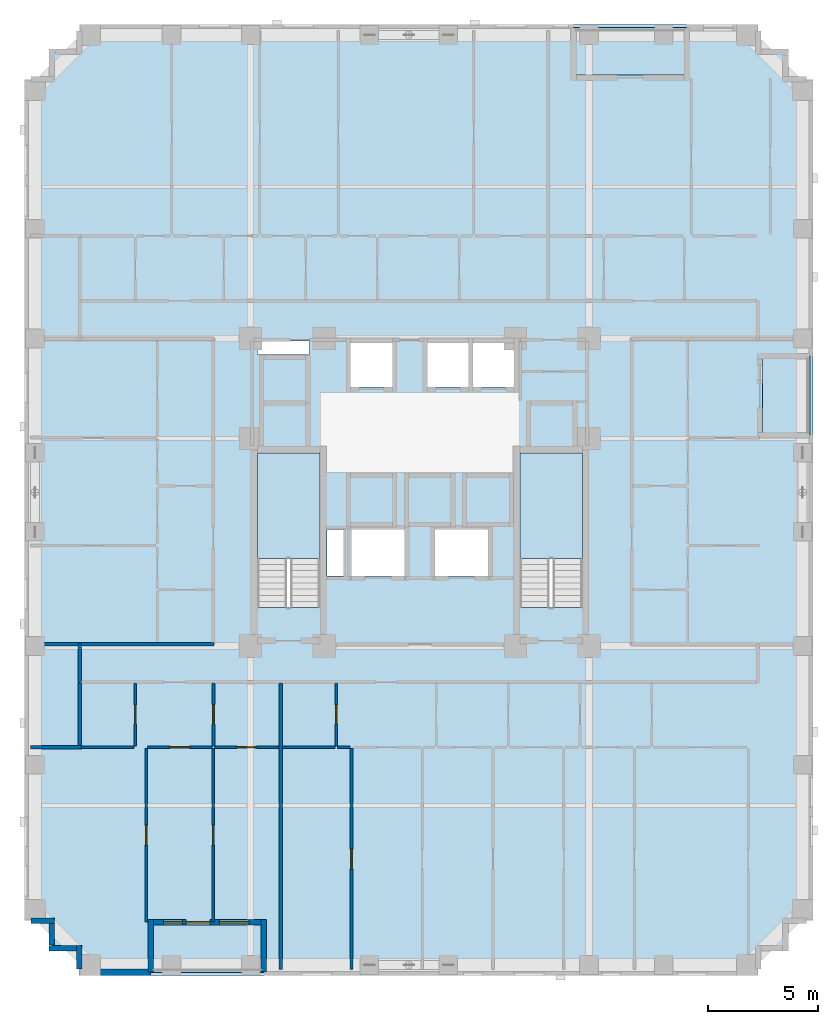
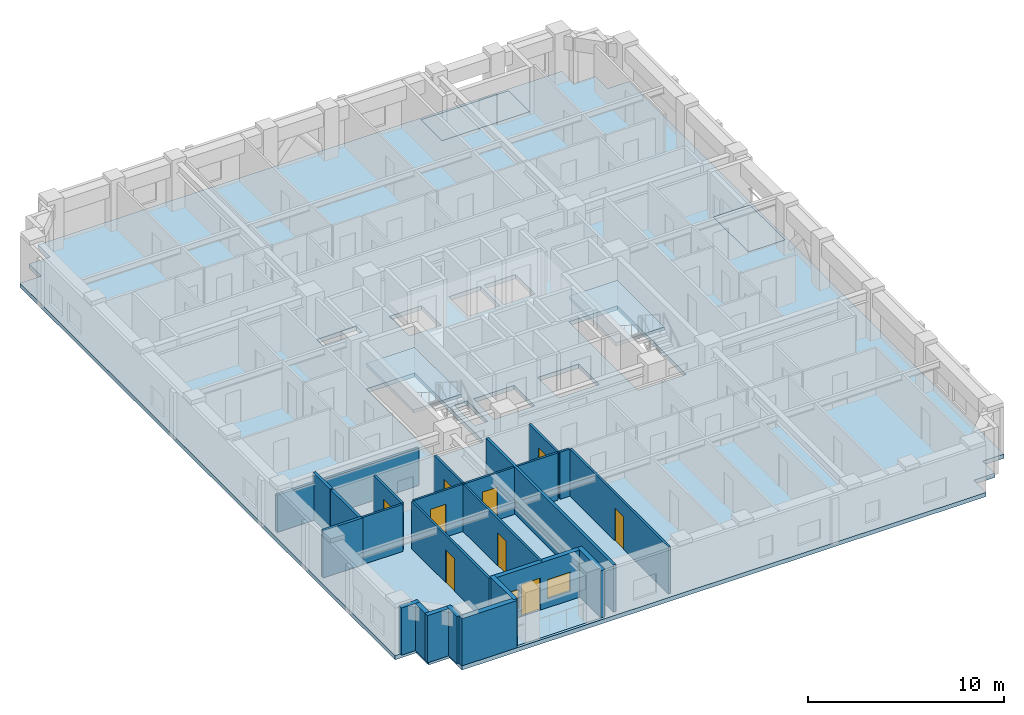
# One storey, part 2 of 12: 24 walls, 9 doors, 6 slabs, 2 windows, 11 openings, 2 elements without a shape of their own.
"""IFC4 building model written with IfcOpenShell, lengths in metres."""

from ifc_helpers import new_model, si_unit, derived_unit, direction, frame, frame_2d, origin, place, context, subcontext, project, spatial, polyline, rectangle, outline, extrude, material, layer, layer_set, type_object, element, fill, aggregate, save


model = new_model("IFC4")

# Units and contexts
model_context = context("Model", 3, precision=1e-05, world=origin(), true_north=direction((0.0, 1.0)))
body_context = subcontext(model_context, "Body", "Model", "MODEL_VIEW")
ifc_project = project(units=[si_unit("LENGTHUNIT", "METRE"), si_unit("AREAUNIT", "SQUARE_METRE"), si_unit("VOLUMEUNIT", "CUBIC_METRE"), si_unit("PLANEANGLEUNIT", "RADIAN"), si_unit("MASSUNIT", "GRAM", prefix="KILO"), derived_unit("THERMALTRANSMITTANCEUNIT", [(si_unit("MASSUNIT", "GRAM", prefix="KILO"), 1), (si_unit("TIMEUNIT", "SECOND"), -3), (si_unit("THERMODYNAMICTEMPERATUREUNIT", "KELVIN"), -1)])], contexts=[model_context])

# Site, building, storey
site_placement = place(None, origin())
site = spatial("IfcSite", under=ifc_project, at=site_placement, CompositionType="ELEMENT")
building_placement = place(site_placement, origin())
building = spatial("IfcBuilding", under=site, at=building_placement, Name="Korrvale Station Residences", CompositionType="ELEMENT")
storey_placement = place(building_placement, frame((0.0, 0.0, 81.5)))
storey = spatial("IfcBuildingStorey", under=building, at=storey_placement, Name="L22", CompositionType="ELEMENT", Elevation=81.5)

# Slabs
ifc_material_1 = material(Name="Concrete C50/60", Category="concrete")
ifc_layer_1 = layer(ifc_material_1, 0.219970703125, Name="Concrete C50/60")
ifc_layer_set_1 = layer_set([ifc_layer_1], Name="Concrete C50/60")
slab_type_1 = type_object("IfcSlabType", Name="SLB-BAL-220", PredefinedType="FLOOR", material=ifc_layer_set_1)
slab_1_placement = place(storey_placement, frame((0.0, 0.0, -0.219970703125)))
element("IfcSlab", 1, at=slab_1_placement, inside=storey, type_object=slab_type_1, Name="L22 Recessed Loggia Balcony Slab BAL-L22-S1", PredefinedType="FLOOR", context=body_context, shape_type="SweptSolid", body=[
    extrude(outline(polyline([(13.25, 0.14990234375), (18.39990234375, 0.14990234375), (18.39990234375, 2.300048828125), (13.25, 2.300048828125), (13.25, 0.14990234375)])), origin(), (0.0, 0.0, 1.0), 0.219970703125),
])
slab_2_placement = place(storey_placement, frame((0.0, 0.0, -0.219970703125)))
element("IfcSlab", 2, at=slab_2_placement, inside=storey, type_object=slab_type_1, Name="L22 Recessed Loggia Balcony Slab BAL-L22-N1", PredefinedType="FLOOR", context=body_context, shape_type="SweptSolid", body=[
    extrude(outline(polyline([(32.5, 41.0), (37.64990234375, 41.0), (37.64990234375, 43.14990234375), (32.5, 43.14990234375), (32.5, 41.0)])), origin(), (0.0, 0.0, 1.0), 0.219970703125),
])
slab_3_placement = place(storey_placement, frame((0.0, 0.0, -0.219970703125)))
element("IfcSlab", 3, at=slab_3_placement, inside=storey, type_object=slab_type_1, Name="L22 Recessed Loggia Balcony Slab BAL-L22-E1", PredefinedType="FLOOR", context=body_context, shape_type="SweptSolid", body=[
    extrude(outline(polyline([(41.10009765625, 24.60009765625), (43.25, 24.60009765625), (43.25, 28.199951171875), (41.10009765625, 28.199951171875), (41.10009765625, 24.60009765625)])), origin(), (0.0, 0.0, 1.0), 0.219970703125),
])
ifc_layer_2 = layer(ifc_material_1, 0.260009765625, Name="Concrete C50/60")
ifc_layer_set_2 = layer_set([ifc_layer_2], Name="Concrete C50/60")
slab_type_2 = type_object("IfcSlabType", Name="SLB-FLR-260", PredefinedType="FLOOR", material=ifc_layer_set_2)
slab_4_placement = place(storey_placement, frame((0.0, 0.0, -0.260009765625)))
element("IfcSlab", 4, at=slab_4_placement, inside=storey, type_object=slab_type_2, Name="L22 Suspended Structural Floor Slab", PredefinedType="FLOOR", context=body_context, shape_type="SweptSolid", body=[
    extrude(outline(polyline([(10.0, 0.0), (40.89990234375, 0.0), (40.89990234375, 1.25), (42.14990234375, 1.25), (42.14990234375, 2.5), (43.39990234375, 2.5), (43.39990234375, 40.800048828125), (42.14990234375, 40.800048828125), (42.14990234375, 42.050048828125), (40.89990234375, 42.050048828125), (40.89990234375, 43.300048828125), (10.0, 43.300048828125), (10.0, 42.050048828125), (8.75, 42.050048828125), (8.75, 40.800048828125), (7.5, 40.800048828125), (7.5, 2.5), (8.75, 2.5), (8.75, 1.25), (10.0, 1.25), (10.0, 0.0)]), holes=[polyline([(20.949951171875, 16.751953125), (20.949951171875, 23.800048828125), (18.10009765625, 23.800048828125), (18.10009765625, 16.751953125), (20.949951171875, 16.751953125)]), polyline([(32.89990234375, 16.751953125), (32.89990234375, 23.800048828125), (30.050048828125, 23.800048828125), (30.050048828125, 16.751953125), (32.89990234375, 16.751953125)]), polyline([(22.35009765625, 26.800048828125), (24.25, 26.800048828125), (24.25, 28.800048828125), (22.35009765625, 28.800048828125), (22.35009765625, 26.800048828125)]), polyline([(25.85009765625, 26.800048828125), (27.7099609375, 26.800048828125), (27.7099609375, 28.800048828125), (25.85009765625, 28.800048828125), (25.85009765625, 26.800048828125)]), polyline([(27.929931640625, 26.800048828125), (29.7900390625, 26.800048828125), (29.7900390625, 28.800048828125), (27.929931640625, 28.800048828125), (27.929931640625, 26.800048828125)]), polyline([(22.39990234375, 18.199951171875), (24.800048828125, 18.199951171875), (24.800048828125, 20.300048828125), (22.39990234375, 20.300048828125), (22.39990234375, 18.199951171875)]), polyline([(26.199951171875, 18.199951171875), (28.60009765625, 18.199951171875), (28.60009765625, 20.300048828125), (26.199951171875, 20.300048828125), (26.199951171875, 18.199951171875)]), polyline([(18.10009765625, 28.280029296875), (20.449951171875, 28.280029296875), (20.449951171875, 28.8798828125), (18.10009765625, 28.8798828125), (18.10009765625, 28.280029296875)]), polyline([(21.280029296875, 18.199951171875), (22.02001953125, 18.199951171875), (22.02001953125, 20.300048828125), (21.280029296875, 20.300048828125), (21.280029296875, 18.199951171875)]), polyline([(13.25, 0.14990234375), (18.39990234375, 0.14990234375), (18.39990234375, 2.300048828125), (13.25, 2.300048828125), (13.25, 0.14990234375)]), polyline([(32.5, 41.0), (37.64990234375, 41.0), (37.64990234375, 43.14990234375), (32.5, 43.14990234375), (32.5, 41.0)]), polyline([(41.10009765625, 24.60009765625), (43.25, 24.60009765625), (43.25, 28.199951171875), (41.10009765625, 28.199951171875), (41.10009765625, 24.60009765625)])]), origin(), (0.0, 0.0, 1.0), 0.260009765625),
])

# Stair, slab
stair_type = type_object("IfcStairType", Name="STR-DL-1350-18R-1778", PredefinedType="HALF_TURN_STAIR", material=ifc_material_1)
stair_1_placement = place(storey_placement, origin())
stair_1 = element("IfcStair", 5, at=stair_1_placement, inside=storey, type_object=stair_type, Name="L22 Exit Stair 1", PredefinedType="HALF_TURN_STAIR")
ifc_layer_3 = layer(ifc_material_1, 0.199951171875, Name="Concrete C50/60")
ifc_layer_set_3 = layer_set([ifc_layer_3], Name="Concrete C50/60")
slab_type_3 = type_object("IfcSlabType", Name="SLB-LND-200", PredefinedType="LANDING", material=ifc_layer_set_3)
slab_5_placement = place(storey_placement, frame((0.0, 0.0, 1.39990234375)))
slab_5 = element("IfcSlab", 6, at=slab_5_placement, type_object=slab_type_3, Name="ST-1 landing 1", PredefinedType="LANDING", context=body_context, shape_type="SweptSolid", body=[
    extrude(outline(polyline([(20.949951171875, 18.989990234375), (20.949951171875, 23.800048828125), (18.10009765625, 23.800048828125), (18.10009765625, 18.989990234375), (20.949951171875, 18.989990234375)])), origin(), (0.0, 0.0, 1.0), 0.2001953125),
])
aggregate(stair_1, [slab_5])

stair_2_placement = place(storey_placement, origin())
stair_2 = element("IfcStair", 7, at=stair_2_placement, inside=storey, type_object=stair_type, Name="L22 Exit Stair 2", PredefinedType="HALF_TURN_STAIR")
slab_6_placement = place(storey_placement, frame((0.0, 0.0, 1.39990234375)))
slab_6 = element("IfcSlab", 8, at=slab_6_placement, type_object=slab_type_3, Name="ST-2 landing 1", PredefinedType="LANDING", context=body_context, shape_type="SweptSolid", body=[
    extrude(outline(polyline([(32.89990234375, 18.989990234375), (32.89990234375, 23.800048828125), (30.050048828125, 23.800048828125), (30.050048828125, 18.989990234375), (32.89990234375, 18.989990234375)])), origin(), (0.0, 0.0, 1.0), 0.2001953125),
])
aggregate(stair_2, [slab_6])

# Wall
ifc_material_2 = material(Name="Precast concrete C45/55", Category="concrete")
ifc_layer_4 = layer(ifc_material_2, 0.260009765625, Name="Precast concrete C45/55")
ifc_layer_set_4 = layer_set([ifc_layer_4], Name="Precast concrete C45/55")
wall_type_1 = type_object("IfcWallType", Name="WAL-EXT-LOG260", PredefinedType="SOLIDWALL", material=ifc_layer_set_4)
wall_1_placement = place(storey_placement, frame((18.39990234375, 0.159912109375, 0.0), z_axis=(0.0, 0.0, 1.0), x_axis=(0.0, 1.0, 0.0)))
element("IfcWall", 9, at=wall_1_placement, inside=storey, type_object=wall_type_1, Name="L22 Recessed Loggia Wall BAL-L22-S1-L", PredefinedType="SOLIDWALL", context=body_context, shape_type="SweptSolid", body=[
    extrude(rectangle(XDim=2.400146484375, YDim=0.260009765625, at=frame_2d((1.2001953125, 0.0))), origin(), (0.0, 0.0, 1.0), 2.93994140625),
])

# Wall, openings, door, windows
wall_2_placement = place(storey_placement, frame((18.26611328125, 2.429931640625, 0.0), z_axis=(0.0, 0.0, 1.0), x_axis=(-1.0, 0.0, 0.0)))
wall_2 = element("IfcWall", 10, at=wall_2_placement, inside=storey, type_object=wall_type_1, Name="L22 Recessed Loggia Wall BAL-L22-S1-B", PredefinedType="SOLIDWALL", context=body_context, shape_type="SweptSolid", body=[
    extrude(rectangle(XDim=4.882080078125, YDim=0.260009765625, at=frame_2d((2.44091796875, 0.0))), origin(), (0.0, 0.0, 1.0), 2.93994140625),
])
opening_1_placement = place(wall_2_placement, frame((2.31591796875, 0.0, 0.0)))
opening_1 = element("IfcOpeningElement", 11, at=opening_1_placement, cuts=wall_2, Name="Opening BD-01", PredefinedType="OPENING", context=body_context, shape_type="SweptSolid", body=[
    extrude(rectangle(XDim=1.10009765625, YDim=2.0, at=frame_2d((0.550048828125, 1.0))), frame((0.0, 0.14013671875, 0.0), z_axis=(0.0, -1.0, 0.0), x_axis=(1.0, 0.0, 0.0)), (0.0, 0.0, 1.0), 0.280029296875),
])
opening_2_placement = place(wall_2_placement, frame((3.575927734375, 0.0, 0.550048828125)))
opening_2 = element("IfcOpeningElement", 12, at=opening_2_placement, cuts=wall_2, Name="Opening W-11", PredefinedType="OPENING", context=body_context, shape_type="SweptSolid", body=[
    extrude(rectangle(XDim=0.85009765625, YDim=1.199951171875, at=frame_2d((0.425048828125, 0.60009765625))), frame((0.0, 0.14013671875, 0.0), z_axis=(0.0, -1.0, 0.0), x_axis=(1.0, 0.0, 0.0)), (0.0, 0.0, 1.0), 0.280029296875),
])
opening_3_placement = place(wall_2_placement, frame((0.544921875, 0.0, 0.550048828125)))
opening_3 = element("IfcOpeningElement", 13, at=opening_3_placement, cuts=wall_2, Name="Opening W-10", PredefinedType="OPENING", context=body_context, shape_type="SweptSolid", body=[
    extrude(rectangle(XDim=1.35009765625, YDim=1.199951171875, at=frame_2d((0.675048828125, 0.60009765625))), frame((0.0, 0.14013671875, 0.0), z_axis=(0.0, -1.0, 0.0), x_axis=(1.0, 0.0, 0.0)), (0.0, 0.0, 1.0), 0.280029296875),
])
ifc_material_3 = material(Name="Exterior thermally broken aluminium glazed balcony door", Category="aluminium")
door_type_1 = type_object("IfcDoorType", Name="DR-EXT-BAL", OperationType="NOTDEFINED", PredefinedType="DOOR", material=ifc_material_3)
door_1_placement = place(opening_1_placement, origin())
door_1 = element("IfcDoor", 14, at=door_1_placement, inside=storey, type_object=door_type_1, Name="L22 Loggia Balcony Door BAL-L22-S1", OperationType="SINGLE_SWING_LEFT", OverallHeight=2.0, OverallWidth=1.10009765625, PredefinedType="DOOR", context=body_context, shape_type="SweptSolid", body=[
    extrude(rectangle(XDim=1.10009765625, YDim=2.0, at=frame_2d((0.550048828125, 1.0))), frame((0.0, 0.02490234375, 0.0), z_axis=(0.0, -1.0, 0.0), x_axis=(1.0, 0.0, 0.0)), (0.0, 0.0, 1.0), 0.050048828125),
])
fill(opening_1, door_1)
ifc_material_4 = material(Name="Thermally broken aluminium frame with triple low-e glazing", Category="aluminium")
window_type_1 = type_object("IfcWindowType", Name="WIN-W10", PartitioningType="SINGLE_PANEL", PredefinedType="WINDOW", material=ifc_material_4)
window_1_placement = place(opening_3_placement, origin())
window_1 = element("IfcWindow", 15, at=window_1_placement, inside=storey, type_object=window_type_1, Name="L22 Punched Window 04", OverallHeight=1.199951171875, OverallWidth=1.35009765625, PartitioningType="SINGLE_PANEL", PredefinedType="WINDOW", context=body_context, shape_type="SweptSolid", body=[
    extrude(rectangle(XDim=1.35009765625, YDim=1.199951171875, at=frame_2d((0.675048828125, 0.60009765625))), frame((0.0, 0.030029296875, 0.0), z_axis=(0.0, -1.0, 0.0), x_axis=(1.0, 0.0, 0.0)), (0.0, 0.0, 1.0), 0.06005859375),
])
fill(opening_3, window_1)
window_type_2 = type_object("IfcWindowType", Name="WIN-W11", PartitioningType="SINGLE_PANEL", PredefinedType="WINDOW", material=ifc_material_4)
window_2_placement = place(opening_2_placement, origin())
window_2 = element("IfcWindow", 16, at=window_2_placement, inside=storey, type_object=window_type_2, Name="L22 Punched Window 03", OverallHeight=1.199951171875, OverallWidth=0.85009765625, PartitioningType="SINGLE_PANEL", PredefinedType="WINDOW", context=body_context, shape_type="SweptSolid", body=[
    extrude(rectangle(XDim=0.85009765625, YDim=1.199951171875, at=frame_2d((0.425048828125, 0.60009765625))), frame((0.0, 0.030029296875, 0.0), z_axis=(0.0, -1.0, 0.0), x_axis=(1.0, 0.0, 0.0)), (0.0, 0.0, 1.0), 0.06005859375),
])
fill(opening_2, window_2)

# Walls
wall_3_placement = place(storey_placement, frame((13.25, 2.56005859375, 0.0), z_axis=(0.0, 0.0, 1.0), x_axis=(0.0, -1.0, 0.0)))
element("IfcWall", 17, at=wall_3_placement, inside=storey, type_object=wall_type_1, Name="L22 Recessed Loggia Wall BAL-L22-S1-R", PredefinedType="SOLIDWALL", context=body_context, shape_type="SweptSolid", body=[
    extrude(rectangle(XDim=2.400146484375, YDim=0.260009765625, at=frame_2d((1.2001953125, 0.0))), origin(), (0.0, 0.0, 1.0), 2.93994140625),
])
wall_4_placement = place(storey_placement, frame((10.0, 0.302001953125, 0.0), z_axis=(0.0, 0.0, 1.0), x_axis=(0.0, 1.0, 0.0)))
element("IfcWall", 18, at=wall_4_placement, inside=storey, type_object=wall_type_1, Name="L22 Serrated Corner Precast Step SW-1", PredefinedType="SOLIDWALL", context=body_context, shape_type="SweptSolid", body=[
    extrude(rectangle(XDim=1.077880859375, YDim=0.260009765625, at=frame_2d((0.5390625, 0.0))), origin(), (0.0, 0.0, 1.0), 2.93994140625),
])
wall_5_placement = place(storey_placement, frame((9.867919921875, 1.25, 0.0), z_axis=(0.0, 0.0, 1.0), x_axis=(-1.0, 0.0, 0.0)))
element("IfcWall", 19, at=wall_5_placement, inside=storey, type_object=wall_type_1, Name="L22 Serrated Corner Precast Step SW-2", PredefinedType="SOLIDWALL", context=body_context, shape_type="SweptSolid", body=[
    extrude(rectangle(XDim=1.247802734375, YDim=0.260009765625, at=frame_2d((0.6240234375, 0.0))), origin(), (0.0, 0.0, 1.0), 2.93994140625),
])
wall_6_placement = place(storey_placement, frame((8.75, 1.382080078125, 0.0), z_axis=(0.0, 0.0, 1.0), x_axis=(0.0, 1.0, 0.0)))
element("IfcWall", 20, at=wall_6_placement, inside=storey, type_object=wall_type_1, Name="L22 Serrated Corner Precast Step SW-3", PredefinedType="SOLIDWALL", context=body_context, shape_type="SweptSolid", body=[
    extrude(rectangle(XDim=0.98583984375, YDim=0.260009765625, at=frame_2d((0.492919921875, 0.0))), origin(), (0.0, 0.0, 1.0), 2.93994140625),
])
wall_7_placement = place(storey_placement, frame((8.8798828125, 2.5, 0.0), z_axis=(0.0, 0.0, 1.0), x_axis=(-1.0, 0.0, 0.0)))
element("IfcWall", 21, at=wall_7_placement, inside=storey, type_object=wall_type_1, Name="L22 Serrated Corner Precast Step SW-4", PredefinedType="SOLIDWALL", context=body_context, shape_type="SweptSolid", body=[
    extrude(rectangle(XDim=1.077880859375, YDim=0.260009765625, at=frame_2d((0.5390625, 0.0))), origin(), (0.0, 0.0, 1.0), 2.93994140625),
])
ifc_layer_5 = layer(ifc_material_2, 0.300048828125, Name="Precast concrete C45/55")
ifc_layer_set_5 = layer_set([ifc_layer_5], Name="Precast concrete C45/55")
wall_type_2 = type_object("IfcWallType", Name="WAL-EXT-PC300", PredefinedType="SOLIDWALL", material=ifc_layer_set_5)
wall_8_placement = place(storey_placement, frame((13.25, 0.14990234375, 0.0), z_axis=(0.0, 0.0, 1.0), x_axis=(-1.0, 0.0, 0.0)))
element("IfcWall", 22, at=wall_8_placement, inside=storey, type_object=wall_type_2, Name="L22 South Exterior Precast Wall 2", PredefinedType="SOLIDWALL", context=body_context, shape_type="SweptSolid", body=[
    extrude(rectangle(XDim=3.25, YDim=0.300048828125, at=frame_2d((1.625, 0.0))), origin(), (0.0, 0.0, 1.0), 2.93994140625),
])

# Wall, opening, door
ifc_material_5 = material(Name="Acoustic steel-stud gypsum board partition", Category="steel")
ifc_layer_6 = layer(ifc_material_5, 0.1201171875, Name="Acoustic steel-stud gypsum board partition")
ifc_layer_set_6 = layer_set([ifc_layer_6], Name="Acoustic steel-stud gypsum board partition")
wall_type_3 = type_object("IfcWallType", Name="WAL-PART-125", PredefinedType="PARTITIONING", material=ifc_layer_set_6)
wall_9_placement = place(storey_placement, frame((12.5400390625, 10.4599609375, 0.0), z_axis=(0.0, 0.0, 1.0), x_axis=(0.0, 1.0, 0.0)))
wall_9 = element("IfcWall", 23, at=wall_9_placement, inside=storey, type_object=wall_type_3, Name="L22 Suite Partition U01-V01", PredefinedType="PARTITIONING", context=body_context, shape_type="SweptSolid", body=[
    extrude(rectangle(XDim=2.85009765625, YDim=0.1201171875, at=frame_2d((1.425048828125, 0.0))), origin(), (0.0, 0.0, 1.0), 2.93994140625),
])
opening_4_placement = place(wall_9_placement, frame((0.9951171875, 0.0, 0.0)))
opening_4 = element("IfcOpeningElement", 24, at=opening_4_placement, cuts=wall_9, Name="Opening DB-860", PredefinedType="OPENING", context=body_context, shape_type="SweptSolid", body=[
    extrude(rectangle(XDim=0.860107421875, YDim=2.050048828125, at=frame_2d((0.43017578125, 1.02490234375))), frame((0.0, 0.070068359375, 0.0), z_axis=(0.0, -1.0, 0.0), x_axis=(1.0, 0.0, 0.0)), (0.0, 0.0, 1.0), 0.14013671875),
])
ifc_material_6 = material(Name="Moisture-resistant solid-core bathroom door", Category="timber")
door_type_2 = type_object("IfcDoorType", Name="DR-BATH-860", OperationType="NOTDEFINED", PredefinedType="DOOR", material=ifc_material_6)
door_2_placement = place(opening_4_placement, origin())
door_2 = element("IfcDoor", 25, at=door_2_placement, inside=storey, type_object=door_type_2, Name="L22 Apartment 2BR L22-U01 Bathroom Door", OperationType="SINGLE_SWING_RIGHT", OverallHeight=2.050048828125, OverallWidth=0.860107421875, PredefinedType="DOOR", context=body_context, shape_type="SweptSolid", body=[
    extrude(rectangle(XDim=0.860107421875, YDim=2.050048828125, at=frame_2d((0.43017578125, 1.02490234375))), frame((0.0, 0.02490234375, 0.0), z_axis=(0.0, -1.0, 0.0), x_axis=(1.0, 0.0, 0.0)), (0.0, 0.0, 1.0), 0.050048828125),
])
fill(opening_4, door_2)

# Wall
wall_10_placement = place(storey_placement, frame((10.080078125, 10.39990234375, 0.0), z_axis=(0.0, 0.0, 1.0), x_axis=(1.0, 0.0, 0.0)))
element("IfcWall", 26, at=wall_10_placement, inside=storey, type_object=wall_type_3, Name="L22 Suite Partition U01-H03", PredefinedType="PARTITIONING", context=body_context, shape_type="SweptSolid", body=[
    extrude(rectangle(XDim=2.39990234375, YDim=0.1201171875, at=frame_2d((1.199951171875, 0.0))), origin(), (0.0, 0.0, 1.0), 2.93994140625),
])

# Wall, opening, door
wall_11_placement = place(storey_placement, frame((16.110107421875, 10.4599609375, 0.0), z_axis=(0.0, 0.0, 1.0), x_axis=(0.0, 1.0, 0.0)))
wall_11 = element("IfcWall", 27, at=wall_11_placement, inside=storey, type_object=wall_type_3, Name="L22 Suite Partition U01-V12", PredefinedType="PARTITIONING", context=body_context, shape_type="SweptSolid", body=[
    extrude(rectangle(XDim=2.85009765625, YDim=0.1201171875, at=frame_2d((1.425048828125, 0.0))), origin(), (0.0, 0.0, 1.0), 2.93994140625),
])
opening_5_placement = place(wall_11_placement, frame((0.97509765625, 0.0, 0.0)))
opening_5 = element("IfcOpeningElement", 28, at=opening_5_placement, cuts=wall_11, Name="Opening DI-900", PredefinedType="OPENING", context=body_context, shape_type="SweptSolid", body=[
    extrude(rectangle(XDim=0.89990234375, YDim=2.050048828125, at=frame_2d((0.449951171875, 1.02490234375))), frame((0.0, 0.070068359375, 0.0), z_axis=(0.0, -1.0, 0.0), x_axis=(1.0, 0.0, 0.0)), (0.0, 0.0, 1.0), 0.14013671875),
])
ifc_material_7 = material(Name="Painted solid-core timber interior room door", Category="wood")
door_type_3 = type_object("IfcDoorType", Name="DR-INT-900", OperationType="NOTDEFINED", PredefinedType="DOOR", material=ifc_material_7)
door_3_placement = place(opening_5_placement, origin())
door_3 = element("IfcDoor", 29, at=door_3_placement, inside=storey, type_object=door_type_3, Name="L22 Apartment 2BR L22-U01 Kitchen Door", OperationType="SINGLE_SWING_LEFT", OverallHeight=2.050048828125, OverallWidth=0.89990234375, PredefinedType="DOOR", context=body_context, shape_type="SweptSolid", body=[
    extrude(rectangle(XDim=0.89990234375, YDim=2.050048828125, at=frame_2d((0.449951171875, 1.02490234375))), frame((0.0, 0.02490234375, 0.0), z_axis=(0.0, -1.0, 0.0), x_axis=(1.0, 0.0, 0.0)), (0.0, 0.0, 1.0), 0.050048828125),
])
fill(opening_5, door_3)

wall_12_placement = place(storey_placement, frame((13.110107421875, 10.39990234375, 0.0), z_axis=(0.0, 0.0, 1.0), x_axis=(1.0, 0.0, 0.0)))
wall_12 = element("IfcWall", 30, at=wall_12_placement, inside=storey, type_object=wall_type_3, Name="L22 Suite Partition U01-H14", PredefinedType="PARTITIONING", context=body_context, shape_type="SweptSolid", body=[
    extrude(rectangle(XDim=2.919921875, YDim=0.1201171875, at=frame_2d((1.4599609375, 0.0))), origin(), (0.0, 0.0, 1.0), 2.93994140625),
])
opening_6_placement = place(wall_12_placement, frame((1.010009765625, 0.0, 0.0)))
opening_6 = element("IfcOpeningElement", 31, at=opening_6_placement, cuts=wall_12, Name="Opening DI-900", PredefinedType="OPENING", context=body_context, shape_type="SweptSolid", body=[
    extrude(rectangle(XDim=0.89990234375, YDim=2.050048828125, at=frame_2d((0.449951171875, 1.02490234375))), frame((0.0, 0.070068359375, 0.0), z_axis=(0.0, -1.0, 0.0), x_axis=(1.0, 0.0, 0.0)), (0.0, 0.0, 1.0), 0.14013671875),
])
door_4_placement = place(opening_6_placement, origin())
door_4 = element("IfcDoor", 32, at=door_4_placement, inside=storey, type_object=door_type_3, Name="L22 Apartment 2BR L22-U01 Kitchen Door", OperationType="SINGLE_SWING_RIGHT", OverallHeight=2.050048828125, OverallWidth=0.89990234375, PredefinedType="DOOR", context=body_context, shape_type="SweptSolid", body=[
    extrude(rectangle(XDim=0.89990234375, YDim=2.050048828125, at=frame_2d((0.449951171875, 1.02490234375))), frame((0.0, 0.02490234375, 0.0), z_axis=(0.0, -1.0, 0.0), x_axis=(1.0, 0.0, 0.0)), (0.0, 0.0, 1.0), 0.050048828125),
])
fill(opening_6, door_4)

wall_13_placement = place(storey_placement, frame((16.169921875, 10.39990234375, 0.0), z_axis=(0.0, 0.0, 1.0), x_axis=(1.0, 0.0, 0.0)))
wall_13 = element("IfcWall", 33, at=wall_13_placement, inside=storey, type_object=wall_type_3, Name="L22 Suite Partition U01-H25", PredefinedType="PARTITIONING", context=body_context, shape_type="SweptSolid", body=[
    extrude(rectangle(XDim=2.900146484375, YDim=0.1201171875, at=frame_2d((1.4501953125, 0.0))), origin(), (0.0, 0.0, 1.0), 2.93994140625),
])
opening_7_placement = place(wall_13_placement, frame((1.0, 0.0, 0.0)))
opening_7 = element("IfcOpeningElement", 34, at=opening_7_placement, cuts=wall_13, Name="Opening DI-900", PredefinedType="OPENING", context=body_context, shape_type="SweptSolid", body=[
    extrude(rectangle(XDim=0.89990234375, YDim=2.050048828125, at=frame_2d((0.449951171875, 1.02490234375))), frame((0.0, 0.070068359375, 0.0), z_axis=(0.0, -1.0, 0.0), x_axis=(1.0, 0.0, 0.0)), (0.0, 0.0, 1.0), 0.14013671875),
])
door_5_placement = place(opening_7_placement, origin())
door_5 = element("IfcDoor", 35, at=door_5_placement, inside=storey, type_object=door_type_3, Name="L22 Apartment 2BR L22-U01 Utility and Laundry Room Door", OperationType="SINGLE_SWING_LEFT", OverallHeight=2.050048828125, OverallWidth=0.89990234375, PredefinedType="DOOR", context=body_context, shape_type="SweptSolid", body=[
    extrude(rectangle(XDim=0.89990234375, YDim=2.050048828125, at=frame_2d((0.449951171875, 1.02490234375))), frame((0.0, 0.02490234375, 0.0), z_axis=(0.0, -1.0, 0.0), x_axis=(1.0, 0.0, 0.0)), (0.0, 0.0, 1.0), 0.050048828125),
])
fill(opening_7, door_5)

wall_14_placement = place(storey_placement, frame((13.050048828125, 2.429931640625, 0.0), z_axis=(0.0, 0.0, 1.0), x_axis=(0.0, 1.0, 0.0)))
wall_14 = element("IfcWall", 36, at=wall_14_placement, inside=storey, type_object=wall_type_3, Name="L22 Suite Partition U01-V34", PredefinedType="PARTITIONING", context=body_context, shape_type="SweptSolid", body=[
    extrude(rectangle(XDim=7.91015625, YDim=0.1201171875, at=frame_2d((3.955078125, 0.0))), origin(), (0.0, 0.0, 1.0), 2.93994140625),
])
opening_8_placement = place(wall_14_placement, frame((3.5048828125, 0.0, 0.0)))
opening_8 = element("IfcOpeningElement", 37, at=opening_8_placement, cuts=wall_14, Name="Opening DI-900", PredefinedType="OPENING", context=body_context, shape_type="SweptSolid", body=[
    extrude(rectangle(XDim=0.89990234375, YDim=2.050048828125, at=frame_2d((0.449951171875, 1.02490234375))), frame((0.0, 0.070068359375, 0.0), z_axis=(0.0, -1.0, 0.0), x_axis=(1.0, 0.0, 0.0)), (0.0, 0.0, 1.0), 0.14013671875),
])
door_6_placement = place(opening_8_placement, origin())
door_6 = element("IfcDoor", 38, at=door_6_placement, inside=storey, type_object=door_type_3, Name="L22 Apartment 2BR L22-U01 Living and Dining Room Door", OperationType="SINGLE_SWING_RIGHT", OverallHeight=2.050048828125, OverallWidth=0.89990234375, PredefinedType="DOOR", context=body_context, shape_type="SweptSolid", body=[
    extrude(rectangle(XDim=0.89990234375, YDim=2.050048828125, at=frame_2d((0.449951171875, 1.02490234375))), frame((0.0, 0.02490234375, 0.0), z_axis=(0.0, -1.0, 0.0), x_axis=(1.0, 0.0, 0.0)), (0.0, 0.0, 1.0), 0.050048828125),
])
fill(opening_8, door_6)

wall_15_placement = place(storey_placement, frame((16.090087890625, 2.429931640625, 0.0), z_axis=(0.0, 0.0, 1.0), x_axis=(0.0, 1.0, 0.0)))
wall_15 = element("IfcWall", 39, at=wall_15_placement, inside=storey, type_object=wall_type_3, Name="L22 Suite Partition U01-V45", PredefinedType="PARTITIONING", context=body_context, shape_type="SweptSolid", body=[
    extrude(rectangle(XDim=7.91015625, YDim=0.1201171875, at=frame_2d((3.955078125, 0.0))), origin(), (0.0, 0.0, 1.0), 2.93994140625),
])
opening_9_placement = place(wall_15_placement, frame((3.5048828125, 0.0, 0.0)))
opening_9 = element("IfcOpeningElement", 40, at=opening_9_placement, cuts=wall_15, Name="Opening DI-900", PredefinedType="OPENING", context=body_context, shape_type="SweptSolid", body=[
    extrude(rectangle(XDim=0.89990234375, YDim=2.050048828125, at=frame_2d((0.449951171875, 1.02490234375))), frame((0.0, 0.070068359375, 0.0), z_axis=(0.0, -1.0, 0.0), x_axis=(1.0, 0.0, 0.0)), (0.0, 0.0, 1.0), 0.14013671875),
])
door_7_placement = place(opening_9_placement, origin())
door_7 = element("IfcDoor", 41, at=door_7_placement, inside=storey, type_object=door_type_3, Name="L22 Apartment 2BR L22-U01 Bedroom 1 Door", OperationType="SINGLE_SWING_LEFT", OverallHeight=2.050048828125, OverallWidth=0.89990234375, PredefinedType="DOOR", context=body_context, shape_type="SweptSolid", body=[
    extrude(rectangle(XDim=0.89990234375, YDim=2.050048828125, at=frame_2d((0.449951171875, 1.02490234375))), frame((0.0, 0.02490234375, 0.0), z_axis=(0.0, -1.0, 0.0), x_axis=(1.0, 0.0, 0.0)), (0.0, 0.0, 1.0), 0.050048828125),
])
fill(opening_9, door_7)

wall_16_placement = place(storey_placement, frame((21.68994140625, 10.4599609375, 0.0), z_axis=(0.0, 0.0, 1.0), x_axis=(0.0, 1.0, 0.0)))
wall_16 = element("IfcWall", 42, at=wall_16_placement, inside=storey, type_object=wall_type_3, Name="L22 Suite Partition U02-V01", PredefinedType="PARTITIONING", context=body_context, shape_type="SweptSolid", body=[
    extrude(rectangle(XDim=2.85009765625, YDim=0.1201171875, at=frame_2d((1.425048828125, 0.0))), origin(), (0.0, 0.0, 1.0), 2.93994140625),
])
opening_10_placement = place(wall_16_placement, frame((0.9951171875, 0.0, 0.0)))
opening_10 = element("IfcOpeningElement", 43, at=opening_10_placement, cuts=wall_16, Name="Opening DB-860", PredefinedType="OPENING", context=body_context, shape_type="SweptSolid", body=[
    extrude(rectangle(XDim=0.860107421875, YDim=2.050048828125, at=frame_2d((0.43017578125, 1.02490234375))), frame((0.0, 0.070068359375, 0.0), z_axis=(0.0, -1.0, 0.0), x_axis=(1.0, 0.0, 0.0)), (0.0, 0.0, 1.0), 0.14013671875),
])
door_8_placement = place(opening_10_placement, origin())
door_8 = element("IfcDoor", 44, at=door_8_placement, inside=storey, type_object=door_type_2, Name="L22 Studio Apartment L22-U02 Bathroom Door", OperationType="SINGLE_SWING_RIGHT", OverallHeight=2.050048828125, OverallWidth=0.860107421875, PredefinedType="DOOR", context=body_context, shape_type="SweptSolid", body=[
    extrude(rectangle(XDim=0.860107421875, YDim=2.050048828125, at=frame_2d((0.43017578125, 1.02490234375))), frame((0.0, 0.02490234375, 0.0), z_axis=(0.0, -1.0, 0.0), x_axis=(1.0, 0.0, 0.0)), (0.0, 0.0, 1.0), 0.050048828125),
])
fill(opening_10, door_8)

# Walls
wall_17_placement = place(storey_placement, frame((19.22998046875, 10.39990234375, 0.0), z_axis=(0.0, 0.0, 1.0), x_axis=(1.0, 0.0, 0.0)))
element("IfcWall", 45, at=wall_17_placement, inside=storey, type_object=wall_type_3, Name="L22 Suite Partition U02-H06", PredefinedType="PARTITIONING", context=body_context, shape_type="SweptSolid", body=[
    extrude(rectangle(XDim=2.39990234375, YDim=0.1201171875, at=frame_2d((1.199951171875, 0.0))), origin(), (0.0, 0.0, 1.0), 2.93994140625),
])
wall_18_placement = place(storey_placement, frame((21.75, 10.39990234375, 0.0), z_axis=(0.0, 0.0, 1.0), x_axis=(1.0, 0.0, 0.0)))
element("IfcWall", 46, at=wall_18_placement, inside=storey, type_object=wall_type_3, Name="L22 Suite Partition U02-H16", PredefinedType="PARTITIONING", context=body_context, shape_type="SweptSolid", body=[
    extrude(rectangle(XDim=0.580078125, YDim=0.1201171875, at=frame_2d((0.2900390625, 0.0))), origin(), (0.0, 0.0, 1.0), 2.93994140625),
])

# Wall, opening, door
wall_19_placement = place(storey_placement, frame((22.389892578125, 0.280029296875, 0.0), z_axis=(0.0, 0.0, 1.0), x_axis=(0.0, 1.0, 0.0)))
wall_19 = element("IfcWall", 47, at=wall_19_placement, inside=storey, type_object=wall_type_3, Name="L22 Suite Partition U02-V67", PredefinedType="PARTITIONING", context=body_context, shape_type="SweptSolid", body=[
    extrude(rectangle(XDim=10.06005859375, YDim=0.1201171875, at=frame_2d((5.030029296875, 0.0))), origin(), (0.0, 0.0, 1.0), 2.93994140625),
])
opening_11_placement = place(wall_19_placement, frame((4.56494140625, 0.0, 0.0)))
opening_11 = element("IfcOpeningElement", 48, at=opening_11_placement, cuts=wall_19, Name="Opening DI-900", PredefinedType="OPENING", context=body_context, shape_type="SweptSolid", body=[
    extrude(rectangle(XDim=0.89990234375, YDim=2.050048828125, at=frame_2d((0.449951171875, 1.02490234375))), frame((0.0, 0.070068359375, 0.0), z_axis=(0.0, -1.0, 0.0), x_axis=(1.0, 0.0, 0.0)), (0.0, 0.0, 1.0), 0.14013671875),
])
door_9_placement = place(opening_11_placement, origin())
door_9 = element("IfcDoor", 49, at=door_9_placement, inside=storey, type_object=door_type_3, Name="L22 Studio Apartment L22-U02 Formal Dining Room Door", OperationType="SINGLE_SWING_RIGHT", OverallHeight=2.050048828125, OverallWidth=0.89990234375, PredefinedType="DOOR", context=body_context, shape_type="SweptSolid", body=[
    extrude(rectangle(XDim=0.89990234375, YDim=2.050048828125, at=frame_2d((0.449951171875, 1.02490234375))), frame((0.0, 0.02490234375, 0.0), z_axis=(0.0, -1.0, 0.0), x_axis=(1.0, 0.0, 0.0)), (0.0, 0.0, 1.0), 0.050048828125),
])
fill(opening_11, door_9)

# Walls
ifc_material_8 = material(Name="Fire-rated twin-stud gypsum and mineral wool shaftwall assembly", Category="gypsum")
ifc_layer_7 = layer(ifc_material_8, 0.159912109375, Name="Fire-rated twin-stud gypsum and mineral wool shaftwall assembly")
ifc_layer_set_7 = layer_set([ifc_layer_7], Name="Fire-rated twin-stud gypsum and mineral wool shaftwall assembly")
wall_type_4 = type_object("IfcWallType", Name="WAL-PART-200", PredefinedType="PARTITIONING", material=ifc_layer_set_7)
wall_20_placement = place(storey_placement, frame((10.02001953125, 13.35009765625, 0.0), z_axis=(0.0, 0.0, 1.0), x_axis=(0.0, 1.0, 0.0)))
element("IfcWall", 50, at=wall_20_placement, inside=storey, type_object=wall_type_4, Name="L22 Corridor South West Cap", PredefinedType="PARTITIONING", context=body_context, shape_type="SweptSolid", body=[
    extrude(rectangle(XDim=1.739990234375, YDim=0.159912109375, at=frame_2d((0.8701171875, 0.0))), origin(), (0.0, 0.0, 1.0), 2.93994140625),
])
wall_21_placement = place(storey_placement, frame((7.780029296875, 15.090087890625, 0.0), z_axis=(0.0, 0.0, 1.0), x_axis=(1.0, 0.0, 0.0)))
element("IfcWall", 51, at=wall_21_placement, inside=storey, type_object=wall_type_4, Name="L22 West Wing South Corridor Wall", PredefinedType="PARTITIONING", context=body_context, shape_type="SweptSolid", body=[
    extrude(rectangle(XDim=8.35986328125, YDim=0.159912109375, at=frame_2d((4.179931640625, 0.0))), origin(), (0.0, 0.0, 1.0), 2.30908203125),
])
wall_22_placement = place(storey_placement, frame((7.780029296875, 10.39990234375, 0.0), z_axis=(0.0, 0.0, 1.0), x_axis=(1.0, 0.0, 0.0)))
element("IfcWall", 52, at=wall_22_placement, inside=storey, type_object=wall_type_4, Name="L22 Corner Step Wall U01-L", PredefinedType="PARTITIONING", context=body_context, shape_type="SweptSolid", body=[
    extrude(rectangle(XDim=2.340087890625, YDim=0.159912109375, at=frame_2d((1.169921875, 0.0))), origin(), (0.0, 0.0, 1.0), 2.93994140625),
])
wall_23_placement = place(storey_placement, frame((10.02001953125, 10.39990234375, 0.0), z_axis=(0.0, 0.0, 1.0), x_axis=(0.0, 1.0, 0.0)))
element("IfcWall", 53, at=wall_23_placement, inside=storey, type_object=wall_type_4, Name="L22 Corner Step Cheek U01-L", PredefinedType="PARTITIONING", context=body_context, shape_type="SweptSolid", body=[
    extrude(rectangle(XDim=2.91015625, YDim=0.159912109375, at=frame_2d((1.455078125, 0.0))), origin(), (0.0, 0.0, 1.0), 2.93994140625),
])
wall_24_placement = place(storey_placement, frame((19.169921875, 0.280029296875, 0.0), z_axis=(0.0, 0.0, 1.0), x_axis=(0.0, 1.0, 0.0)))
element("IfcWall", 54, at=wall_24_placement, inside=storey, type_object=wall_type_4, Name="L22 Demising Wall U02-W", PredefinedType="PARTITIONING", context=body_context, shape_type="SweptSolid", body=[
    extrude(rectangle(XDim=13.030029296875, YDim=0.159912109375, at=frame_2d((6.51513671875, 0.0))), origin(), (0.0, 0.0, 1.0), 2.93994140625),
])

save(model, "model.ifc")
